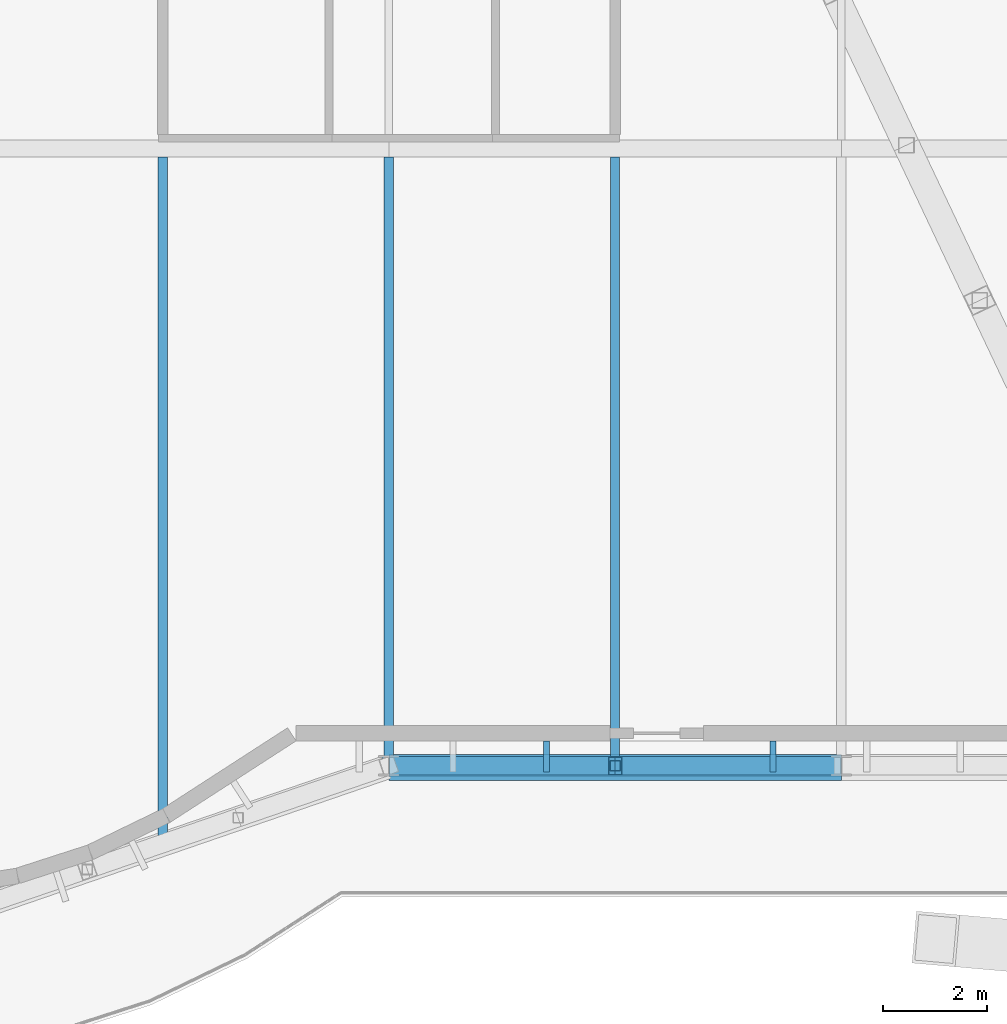
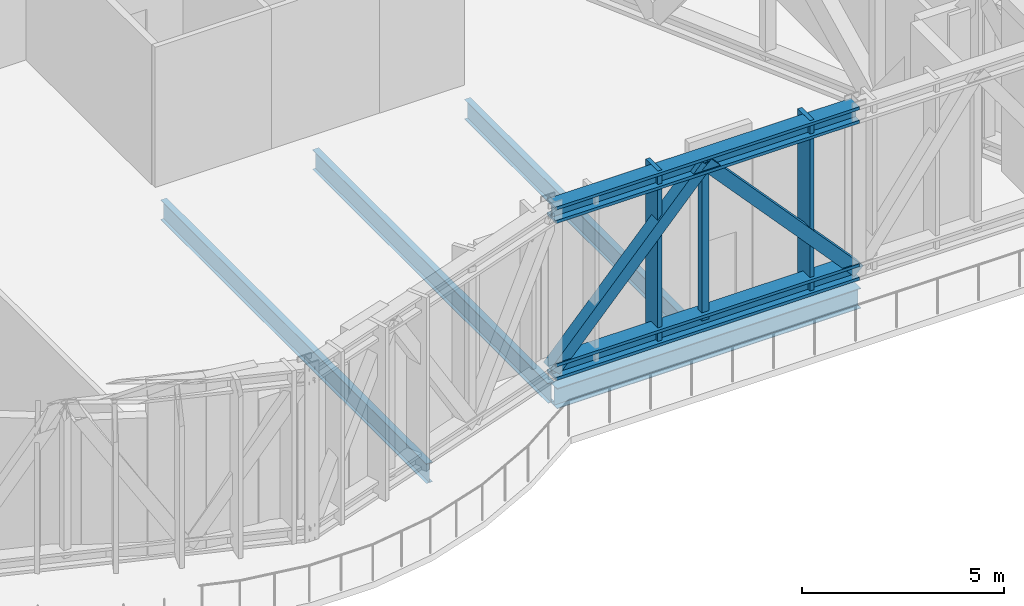
# One storey, part 11 of 32: 7 members, 4 beams, 1 element without a shape of its own.
"""IFC4 building model written with IfcOpenShell, lengths in metres."""

from ifc_helpers import new_model, si_unit, direction, frame, origin, origin_2d, place, context, subcontext, project, spatial, rectangle, hollow_rectangle, i_section, extrude, material, material_profile, profile_set, type_object, element, aggregate, save


model = new_model("IFC4")

# Units and contexts
model_context = context("Model", 3, precision=1e-05, world=origin(), true_north=direction((0.0, 1.0)))
body_context = subcontext(model_context, "Body", "Model", "MODEL_VIEW")
ifc_project = project(units=[si_unit("LENGTHUNIT", "METRE"), si_unit("AREAUNIT", "SQUARE_METRE"), si_unit("VOLUMEUNIT", "CUBIC_METRE"), si_unit("PLANEANGLEUNIT", "RADIAN"), si_unit("MASSUNIT", "GRAM", prefix="KILO")], contexts=[model_context])

# Site, building, storey
site_placement = place(None, origin())
site = spatial("IfcSite", under=ifc_project, at=site_placement, CompositionType="ELEMENT")
building_placement = place(site_placement, origin())
building = spatial("IfcBuilding", under=site, at=building_placement, Name="Bicima Exchange Tower", CompositionType="ELEMENT")
storey_placement = place(building_placement, frame((0.0, 0.0, 135.0)))
storey = spatial("IfcBuildingStorey", under=building, at=storey_placement, Name="L29", CompositionType="ELEMENT", Elevation=135.0)

# Curtain wall, members
ifc_material_1 = material(Name="Anodised bronze aluminium", Category="aluminium")
curtain_wall_type = type_object("IfcCurtainWallType", Name="Band blade screen", PredefinedType="NOTDEFINED", material=ifc_material_1)
curtain_wall_placement = place(storey_placement, origin())
curtain_wall = element("IfcCurtainWall", 1, at=curtain_wall_placement, inside=storey, type_object=curtain_wall_type, Name="Band blade screen L29", PredefinedType="NOTDEFINED")
ifc_material_profile_1 = material_profile(ifc_material_1, rectangle(XDim=0.60009765625, YDim=0.1201171875, at=origin_2d()))
ifc_profile_set_1 = profile_set([ifc_material_profile_1], Name="Anodised bronze aluminium")
member_type_1 = type_object("IfcMemberType", Name="Band blade fin 600 x 120", PredefinedType="USERDEFINED", material=ifc_profile_set_1)
member_1_placement = place(storey_placement, frame((20.432373046875, -33.68798828125, 0.0), z_axis=(0.0, 0.0, 1.0), x_axis=(0.0, 1.0, 0.0)))
member_1 = element("IfcMember", 2, at=member_1_placement, type_object=member_type_1, Name="Band blade fin 55", ObjectType="FIN", PredefinedType="USERDEFINED", context=body_context, shape_type="SweptSolid", body=[
    extrude(rectangle(XDim=0.60009765625, YDim=0.1201171875, at=origin_2d()), origin(), (0.0, 0.0, 1.0), 5.25),
])
member_2_placement = place(storey_placement, frame((24.787109375, -33.68798828125, 0.0), z_axis=(0.0, 0.0, 1.0), x_axis=(0.0, 1.0, 0.0)))
member_2 = element("IfcMember", 3, at=member_2_placement, type_object=member_type_1, Name="Band blade fin 56", ObjectType="FIN", PredefinedType="USERDEFINED", context=body_context, shape_type="SweptSolid", body=[
    extrude(rectangle(XDim=0.60009765625, YDim=0.1201171875, at=origin_2d()), origin(), (0.0, 0.0, 1.0), 5.25),
])
aggregate(curtain_wall, [member_1, member_2])

# Members
ifc_material_2 = material(Name="Steel ASTM A992 Gr 50", Category="steel")
ifc_material_profile_2 = material_profile(ifc_material_2, i_section(OverallWidth=0.431884765625, OverallDepth=0.497802734375, WebThickness=0.0556640625, FlangeThickness=0.0888671875, at=origin_2d()))
ifc_profile_set_2 = profile_set([ifc_material_profile_2], Name="Steel ASTM A992 Gr 50")
member_type_2 = type_object("IfcMemberType", Name="Belt truss chord W14x500", PredefinedType="CHORD", material=ifc_profile_set_2)
for number, where, z_axis, x_axis, name in (
    (4, (17.39990234375, -33.865966796875, 5.001220703125), (1.0, 0.0, 0.0), (0.0, 1.0, 0.0), "Top chord"),
    (5, (17.39990234375, -33.865966796875, 0.248779296875), (1.0, 0.0, 0.0), (0.0, 1.0, 0.0), "Bottom chord"),
):
    element("IfcMember", number, at=place(storey_placement, frame(where, z_axis=z_axis, x_axis=x_axis)), inside=storey, type_object=member_type_2, Name=name, PredefinedType="CHORD", context=body_context, shape_type="SweptSolid", body=[
        extrude(i_section(OverallWidth=0.431884765625, OverallDepth=0.497802734375, WebThickness=0.0556640625, FlangeThickness=0.0888671875, at=origin_2d()), origin(), (0.0, 0.0, 1.0), 8.7001953125),
    ])
ifc_material_3 = material(Name="Steel ASTM A572 Gr 50", Category="steel")
ifc_material_profile_3 = material_profile(ifc_material_3, hollow_rectangle(XDim=0.355712890625, YDim=0.355712890625, WallThickness=0.0146484375, at=origin_2d()))
ifc_profile_set_3 = profile_set([ifc_material_profile_3], Name="Steel ASTM A572 Gr 50")
member_type_3 = type_object("IfcMemberType", Name="Belt truss diagonal HSS14x14x5/8", PredefinedType="STRUT", material=ifc_profile_set_3)
for number, where, z_axis, x_axis, name in (
    (6, (17.39990234375, -33.865966796875, 0.248779296875), (0.675192508812, 0.0, 0.737641563393), (0.0, 1.0, 0.0), "Truss diagonal"),
    (7, (21.75, -33.865966796875, 5.001220703125), (0.675192508812, 0.0, -0.737641563393), (0.0, 1.0, 0.0), "Truss diagonal"),
):
    element("IfcMember", number, at=place(storey_placement, frame(where, z_axis=z_axis, x_axis=x_axis)), inside=storey, type_object=member_type_3, Name=name, PredefinedType="STRUT", context=body_context, shape_type="SweptSolid", body=[
        extrude(hollow_rectangle(XDim=0.355712890625, YDim=0.355712890625, WallThickness=0.0146484375, at=origin_2d()), origin(), (0.0, 0.0, 1.0), 6.44287109375),
    ])
ifc_material_profile_4 = material_profile(ifc_material_3, hollow_rectangle(XDim=0.203125, YDim=0.203125, WallThickness=0.01171875, at=origin_2d()))
ifc_profile_set_4 = profile_set([ifc_material_profile_4], Name="Steel ASTM A572 Gr 50")
member_type_4 = type_object("IfcMemberType", Name="Belt truss post HSS8x8x1/2", PredefinedType="POST", material=ifc_profile_set_4)
member_3_placement = place(storey_placement, frame((21.75, -33.865966796875, 0.248779296875), z_axis=(0.0, 0.0, 1.0), x_axis=(1.0, 0.0, 0.0)))
element("IfcMember", 8, at=member_3_placement, inside=storey, type_object=member_type_4, Name="Truss post", PredefinedType="POST", context=body_context, shape_type="SweptSolid", body=[
    extrude(hollow_rectangle(XDim=0.203125, YDim=0.203125, WallThickness=0.01171875, at=origin_2d()), origin(), (0.0, 0.0, 1.0), 4.75244140625),
])

# Beams
ifc_material_profile_5 = material_profile(ifc_material_2, i_section(OverallWidth=0.177978515625, OverallDepth=0.599365234375, WebThickness=0.010009765625, FlangeThickness=0.012939453125, at=origin_2d()))
ifc_profile_set_5 = profile_set([ifc_material_profile_5], Name="Steel ASTM A992 Gr 50")
beam_type_1 = type_object("IfcBeamType", Name="Floor beam W24x55", PredefinedType="JOIST", material=ifc_profile_set_5)
beam_1_placement = place(storey_placement, frame((13.050048828125, -22.16259765625, -0.499755859375), z_axis=(0.0, -1.0, 0.0), x_axis=(1.0, 0.0, 0.0)))
element("IfcBeam", 9, at=beam_1_placement, inside=storey, type_object=beam_type_1, Name="Floor beam", PredefinedType="JOIST", context=body_context, shape_type="SweptSolid", body=[
    extrude(i_section(OverallWidth=0.177978515625, OverallDepth=0.599365234375, WebThickness=0.010009765625, FlangeThickness=0.012939453125, at=origin_2d()), origin(), (0.0, 0.0, 1.0), 13.185302734375),
])
beam_2_placement = place(storey_placement, frame((17.39990234375, -22.16259765625, -0.499755859375), z_axis=(0.0, -1.0, 0.0), x_axis=(1.0, 0.0, 0.0)))
element("IfcBeam", 10, at=beam_2_placement, inside=storey, type_object=beam_type_1, Name="Floor beam", PredefinedType="JOIST", context=body_context, shape_type="SweptSolid", body=[
    extrude(i_section(OverallWidth=0.177978515625, OverallDepth=0.599365234375, WebThickness=0.010009765625, FlangeThickness=0.012939453125, at=origin_2d()), origin(), (0.0, 0.0, 1.0), 11.689697265625),
])
beam_3_placement = place(storey_placement, frame((21.75, -22.16259765625, -0.499755859375), z_axis=(0.0, -1.0, 0.0), x_axis=(1.0, 0.0, 0.0)))
element("IfcBeam", 11, at=beam_3_placement, inside=storey, type_object=beam_type_1, Name="Floor beam", PredefinedType="JOIST", context=body_context, shape_type="SweptSolid", body=[
    extrude(i_section(OverallWidth=0.177978515625, OverallDepth=0.599365234375, WebThickness=0.010009765625, FlangeThickness=0.012939453125, at=origin_2d()), origin(), (0.0, 0.0, 1.0), 11.662841796875),
])
ifc_material_profile_6 = material_profile(ifc_material_2, i_section(OverallWidth=0.3251953125, OverallDepth=0.612060546875, WebThickness=0.0126953125, FlangeThickness=0.01904296875, at=origin_2d()))
ifc_profile_set_6 = profile_set([ifc_material_profile_6], Name="Steel ASTM A992 Gr 50")
beam_type_2 = type_object("IfcBeamType", Name="Front girder W24x104", PredefinedType="BEAM", material=ifc_profile_set_6)
beam_4_placement = place(storey_placement, frame((17.39990234375, -33.988037109375, -0.506103515625), z_axis=(1.0, 0.0, 0.0), x_axis=(0.0, 1.0, 0.0)))
element("IfcBeam", 12, at=beam_4_placement, inside=storey, type_object=beam_type_2, Name="Front girder", PredefinedType="BEAM", context=body_context, shape_type="SweptSolid", body=[
    extrude(i_section(OverallWidth=0.3251953125, OverallDepth=0.612060546875, WebThickness=0.0126953125, FlangeThickness=0.01904296875, at=origin_2d()), origin(), (0.0, 0.0, 1.0), 8.7001953125),
])

save(model, "model.ifc")
